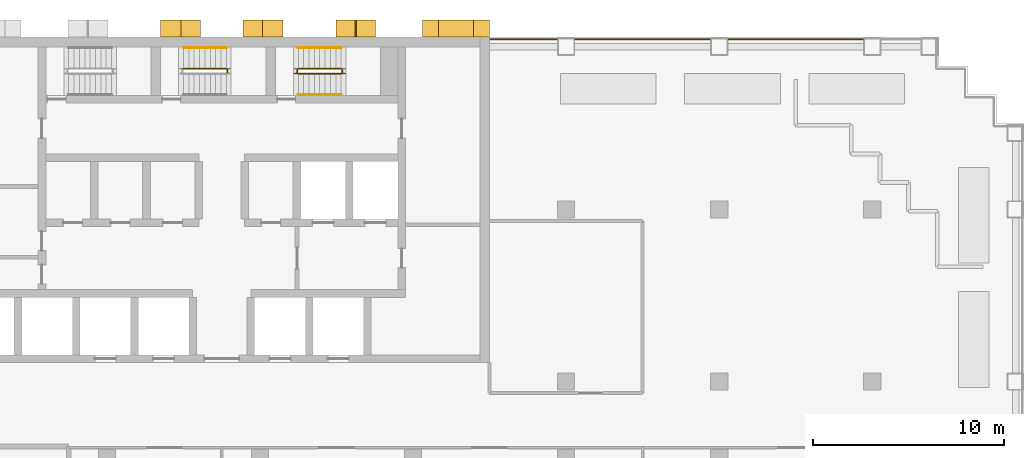
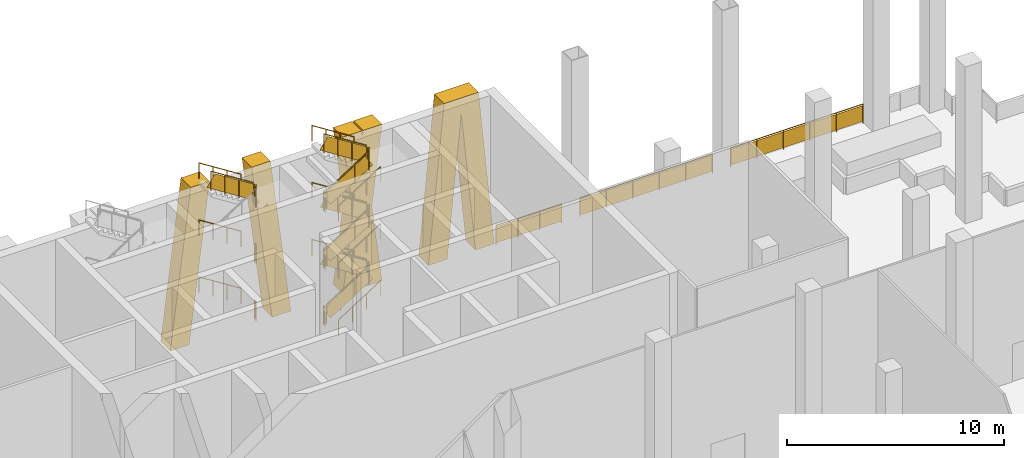
# One storey, part 8 of 9: 28 railings, 4 shading devices.
"""IFC4 building model written with IfcOpenShell, lengths in metres."""

import ifcopenshell
import ifcopenshell.guid

model = None  # the IFC model being written
_history = None  # IfcOwnerHistory: only IFC2X3 demands one
_inside = {}  # id of a spatial element -> (the spatial element, [elements in it])
_under = {}  # id of a project, library or spatial element -> (it, [spatial elements below it])
_declared = {}  # id of a project -> (the project, [libraries it declares])
_typed = {}  # id of a type object -> (the type object, [elements of that type])
_made_of = {}  # id of a material, layer set ... -> (it, [elements and type objects made of it])


def new_model(schema):
    """Start an empty IFC model of exactly this schema.

    Asked for "IFC4X3", IfcOpenShell would pick the latest addendum, in which some entities
    have other attributes; the version numbers below select the first issue.
    IFC2X3 requires an IfcOwnerHistory on every rooted entity: one is made here for all.
    """
    global model, _history
    if schema == "IFC4X3":
        model = ifcopenshell.file(schema_version=(4, 3, 0, 0))
    else:
        model = ifcopenshell.file(schema=schema)
    _inside.clear()
    _under.clear()
    _declared.clear()
    _typed.clear()
    _made_of.clear()
    _history = None
    if model.schema == "IFC2X3":
        org = make("IfcOrganization", Name="unknown")
        user = make(
            "IfcPersonAndOrganization",
            ThePerson=make("IfcPerson", FamilyName="unknown"),
            TheOrganization=org,
        )
        app = make(
            "IfcApplication",
            ApplicationDeveloper=org,
            Version="unknown",
            ApplicationFullName="unknown",
            ApplicationIdentifier="unknown",
        )
        _history = make(
            "IfcOwnerHistory",
            OwningUser=user,
            OwningApplication=app,
            ChangeAction="ADDED",
            CreationDate=0,
        )
    return model


def make(cls, **values):
    """One entity of the class cls with the attributes given. An attribute that is None is left unset."""
    return model.create_entity(
        cls, **{name: value for name, value in values.items() if value is not None}
    )


def rooted(cls, **values):
    """An entity with a GlobalId (a new one), such as an element, a storey or a relation."""
    return make(cls, GlobalId=ifcopenshell.guid.new(), OwnerHistory=_history, **values)


def si_unit(unit_type, name, prefix=None):
    """IfcSIUnit, for example si_unit("LENGTHUNIT", "METRE", prefix="MILLI")."""
    return make("IfcSIUnit", UnitType=unit_type, Prefix=prefix, Name=name)


def assignment(units):
    """IfcUnitAssignment: the units of a project."""
    return None if units is None else make("IfcUnitAssignment", Units=units)


def point(xyz):
    """IfcCartesianPoint."""
    return None if xyz is None else make("IfcCartesianPoint", Coordinates=xyz)


def direction(xyz):
    """IfcDirection."""
    return None if xyz is None else make("IfcDirection", DirectionRatios=xyz)


def frame(location, z_axis=None, x_axis=None):
    """IfcAxis2Placement3D, a coordinate frame: its origin and axes. An axis left out is left unset."""
    return make(
        "IfcAxis2Placement3D",
        Location=point(location),
        Axis=direction(z_axis),
        RefDirection=direction(x_axis),
    )


def frame_2d(location, x_axis=None):
    """IfcAxis2Placement2D, a coordinate frame in the plane: its origin and x axis."""
    return make(
        "IfcAxis2Placement2D", Location=point(location), RefDirection=direction(x_axis)
    )


def origin():
    """The frame at (0, 0, 0) with its axes left unset."""
    return frame((0.0, 0.0, 0.0))


def origin_2d():
    """The frame at (0, 0) in the plane with its x axis left unset."""
    return frame_2d((0.0, 0.0))


def place(relative_to, where):
    """IfcLocalPlacement: puts the frame where relative to a parent placement (None: the world)."""
    return make(
        "IfcLocalPlacement", PlacementRelTo=relative_to, RelativePlacement=where
    )


def context(
    kind, dimensions, precision=None, world=None, true_north=None, identifier=None
):
    """IfcGeometricRepresentationContext, for example the 3D "Model" context."""
    return make(
        "IfcGeometricRepresentationContext",
        ContextIdentifier=identifier,
        ContextType=kind,
        CoordinateSpaceDimension=dimensions,
        Precision=precision,
        WorldCoordinateSystem=world,
        TrueNorth=true_north,
    )


def subcontext(parent, identifier, kind, view, scale=None):
    """IfcGeometricRepresentationSubContext, for example "Body" below "Model"."""
    return make(
        "IfcGeometricRepresentationSubContext",
        ContextIdentifier=identifier,
        ContextType=kind,
        ParentContext=parent,
        TargetScale=scale,
        TargetView=view,
    )


def project(units=None, contexts=None):
    """IfcProject with its units and contexts."""
    return rooted(
        "IfcProject",
        Name="project",
        RepresentationContexts=contexts,
        UnitsInContext=assignment(units),
    )


def spatial(cls, under=None, at=None, **own):
    """A site, building, storey or space (cls), placed at a placement, below another one or the project."""
    s = rooted(cls, ObjectPlacement=at, **own)
    if under is not None:
        _under.setdefault(under.id(), (under, []))[1].append(s)
    return s


def polyline(points):
    """IfcPolyline through the points."""
    return make("IfcPolyline", Points=[point(p) for p in points])


def profile(cls, at=None, kind="AREA", **sizes):
    """A parametric profile (cls). Its sizes go by their IFC names, for example OverallWidth=200.0."""
    return make(cls, ProfileType=kind, Position=at, **sizes)


def rectangle(**sizes):
    """IfcRectangleProfileDef."""
    return profile("IfcRectangleProfileDef", **sizes)


def circle(**sizes):
    """IfcCircleProfileDef."""
    return profile("IfcCircleProfileDef", **sizes)


def outline(outer, holes=None, kind="AREA"):
    """IfcArbitraryClosedProfileDef: a profile drawn as a closed curve; with holes, ...WithVoids."""
    if holes is None:
        return make("IfcArbitraryClosedProfileDef", ProfileType=kind, OuterCurve=outer)
    return make(
        "IfcArbitraryProfileDefWithVoids",
        ProfileType=kind,
        OuterCurve=outer,
        InnerCurves=holes,
    )


def extrude(swept, where, along, depth):
    """IfcExtrudedAreaSolid: the profile swept, set in the frame where, extruded along a direction by depth."""
    return make(
        "IfcExtrudedAreaSolid",
        SweptArea=swept,
        Position=where,
        ExtrudedDirection=direction(along),
        Depth=depth,
    )


def shape(context_of_items, identifier, shape_type, items):
    """IfcShapeRepresentation: the items that make up one representation, for example the "Body"."""
    return make(
        "IfcShapeRepresentation",
        ContextOfItems=context_of_items,
        RepresentationIdentifier=identifier,
        RepresentationType=shape_type,
        Items=items,
    )


def material(Name=None, Category=None):
    """IfcMaterial."""
    return make("IfcMaterial", Name=Name, Category=Category)


def layer(
    of_material, thickness, ventilated=None, Name=None, Category=None, Priority=None
):
    """IfcMaterialLayer: one layer of a wall or slab, of a material (None: an air gap)."""
    return make(
        "IfcMaterialLayer",
        Material=of_material,
        LayerThickness=thickness,
        IsVentilated=ventilated,
        Name=Name,
        Category=Category,
        Priority=Priority,
    )


def layer_set(layers, Name=None):
    """IfcMaterialLayerSet."""
    return make("IfcMaterialLayerSet", MaterialLayers=layers, LayerSetName=Name)


def made_of(thing, what):
    """Note that an element or type object is made of a material, layer set ...; save() writes the relation."""
    if what is not None:
        _made_of.setdefault(what.id(), (what, []))[1].append(thing)
    return thing


def type_object(cls, material=None, **own):
    """A type object (cls), such as IfcWallType, which elements share."""
    return made_of(rooted(cls, **own), material)


def element(
    cls,
    number,
    at=None,
    inside=None,
    cuts=None,
    type_object=None,
    material=None,
    context=None,
    identifier="Body",
    shape_type=None,
    held_by="IfcProductDefinitionShape",
    body=None,
    shapes=None,
    **own,
):
    """One element of the class cls, such as IfcWall. Its Tag is "e" and its number.

    at: its placement. inside: the storey or other place that contains it. cuts: it is an
    opening in that element (IfcRelVoidsElement). A single representation is given by context,
    identifier, shape_type and body (its items); several are given by shapes. held_by: the class
    of the entity that holds the representations. save() writes the other relations.
    """
    e = rooted(cls, Tag="e%d" % number, ObjectPlacement=at, **own)
    if body is not None:
        shapes = [shape(context, identifier, shape_type, body)]
    if shapes is not None:
        e.Representation = make(held_by, Representations=shapes)
    if inside is not None:
        _inside.setdefault(inside.id(), (inside, []))[1].append(e)
    if cuts is not None:
        rooted(
            "IfcRelVoidsElement", RelatingBuildingElement=cuts, RelatedOpeningElement=e
        )
    if type_object is not None:
        _typed.setdefault(type_object.id(), (type_object, []))[1].append(e)
    return made_of(e, material)


def aggregate(whole, parts):
    """IfcRelAggregates: a whole, such as a stair, and the parts it consists of."""
    return rooted("IfcRelAggregates", RelatingObject=whole, RelatedObjects=parts)


def save(model, path):
    """Write the relations noted so far, then the file.

    IfcRelAggregates (storeys below a building ...), IfcRelContainedInSpatialStructure (elements
    in a storey), IfcRelDefinesByType, IfcRelAssociatesMaterial and IfcRelDeclares: one each for
    every whole, place, type object, material and project.
    """
    for whole, parts in _under.values():
        aggregate(whole, parts)
    for where, things in _inside.values():
        rooted(
            "IfcRelContainedInSpatialStructure",
            RelatedElements=things,
            RelatingStructure=where,
        )
    for kind, things in _typed.values():
        rooted("IfcRelDefinesByType", RelatedObjects=things, RelatingType=kind)
    for what, things in _made_of.values():
        rooted("IfcRelAssociatesMaterial", RelatedObjects=things, RelatingMaterial=what)
    for by, libraries in _declared.values():
        rooted("IfcRelDeclares", RelatingContext=by, RelatedDefinitions=libraries)
    model.write(path)


model = new_model("IFC4")

# Units and contexts
model_context = context("Model", 3, precision=1e-05, world=origin(), true_north=direction((0.0, 1.0)))
body_context = subcontext(model_context, "Body", "Model", "MODEL_VIEW")
ifc_project = project(units=[si_unit("LENGTHUNIT", "METRE"), si_unit("AREAUNIT", "SQUARE_METRE"), si_unit("VOLUMEUNIT", "CUBIC_METRE"), si_unit("PLANEANGLEUNIT", "RADIAN"), si_unit("MASSUNIT", "GRAM", prefix="KILO")], contexts=[model_context])

# Site, building, storey
site_placement = place(None, origin())
site = spatial("IfcSite", under=ifc_project, at=site_placement, CompositionType="ELEMENT")
building_placement = place(site_placement, origin())
building = spatial("IfcBuilding", under=site, at=building_placement, Name="Vidyagriha Tower", CompositionType="ELEMENT")
storey_placement = place(building_placement, frame((0.0, 0.0, 106.300048828125)))
storey = spatial("IfcBuildingStorey", under=building, at=storey_placement, Name="L28", CompositionType="ELEMENT", Elevation=106.300048828125)

# Shading devices
ifc_material_1 = material(Name="Precast concrete C40/50 with brick facing", Category="concrete")
ifc_layer_1 = layer(ifc_material_1, 1.0)
ifc_layer_set_1 = layer_set([ifc_layer_1], Name="Precast concrete C40/50 with brick facing")
shading_device_type_1 = type_object("IfcShadingDeviceType", Name="Brick-faced rear rib arm leaning 8 degrees", PredefinedType="USERDEFINED", material=ifc_layer_set_1)
shading_device_1_placement = place(storey_placement, frame((3.199951171875, 20.449951171875, 0.0), z_axis=(0.0, 0.0, 1.0), x_axis=(-1.0, 0.0, 0.0)))
element("IfcShadingDevice", 1, at=shading_device_1_placement, inside=storey, type_object=shading_device_type_1, Name="Rear rib arm L28 R08.3a", ObjectType="BLADE FIN", PredefinedType="USERDEFINED", context=body_context, shape_type="SweptSolid", body=[
    extrude(outline(polyline([(0.0, 0.0), (1.0, 0.0), (2.080078125, 8.800048828125), (1.080078125, 8.800048828125), (0.0, 0.0)])), frame((0.0, 0.449951171875, 0.0), z_axis=(0.0, -1.0, 0.0), x_axis=(1.0, 0.0, 0.0)), (0.0, 0.0, 1.0), 0.89990234375),
])
shading_device_2_placement = place(storey_placement, frame((-1.1201171875, 20.449951171875, 0.0), z_axis=(0.0, 0.0, 1.0), x_axis=(-1.0, 0.0, 0.0)))
element("IfcShadingDevice", 2, at=shading_device_2_placement, inside=storey, type_object=shading_device_type_1, Name="Rear rib arm L28 R08.3b", ObjectType="BLADE FIN", PredefinedType="USERDEFINED", context=body_context, shape_type="SweptSolid", body=[
    extrude(outline(polyline([(1.080078125, 0.0), (2.080078125, 0.0), (1.0, 8.800048828125), (0.0, 8.800048828125), (1.080078125, 0.0)])), frame((0.0, 0.449951171875, 0.0), z_axis=(0.0, -1.0, 0.0), x_axis=(1.0, 0.0, 0.0)), (0.0, 0.0, 1.0), 0.89990234375),
])
ifc_material_2 = material(Name="Precast concrete C40/50 with brick facing", Category="concrete")
ifc_layer_2 = layer(ifc_material_2, 1.0)
ifc_layer_set_2 = layer_set([ifc_layer_2], Name="Precast concrete C40/50 with brick facing")
shading_device_type_2 = type_object("IfcShadingDeviceType", Name="Brick-faced rear rib forking 8 degrees", PredefinedType="USERDEFINED", material=ifc_layer_set_2)
shading_device_3_placement = place(storey_placement, frame((14.0, 20.449951171875, 0.0), z_axis=(0.0, 0.0, 1.0), x_axis=(-1.0, 0.0, 0.0)))
element("IfcShadingDevice", 3, at=shading_device_3_placement, inside=storey, type_object=shading_device_type_2, Name="Rear rib fork L28 R08.1a", ObjectType="BLADE FIN", PredefinedType="USERDEFINED", context=body_context, shape_type="SweptSolid", body=[
    extrude(outline(polyline([(1.0, 0.0), (1.75, 7.919921875), (2.5, 0.0), (3.5, 0.0), (2.666748046875, 8.800048828125), (0.833251953125, 8.800048828125), (0.0, 0.0), (1.0, 0.0)])), frame((0.0, 0.449951171875, 0.0), z_axis=(0.0, -1.0, 0.0), x_axis=(1.0, 0.0, 0.0)), (0.0, 0.0, 1.0), 0.89990234375),
])
shading_device_4_placement = place(storey_placement, frame((8.0400390625, 20.449951171875, 0.0), z_axis=(0.0, 0.0, 1.0), x_axis=(-1.0, 0.0, 0.0)))
element("IfcShadingDevice", 4, at=shading_device_4_placement, inside=storey, type_object=shading_device_type_2, Name="Rear rib fork L28 R08.2a", ObjectType="BLADE FIN", PredefinedType="USERDEFINED", context=body_context, shape_type="SweptSolid", body=[
    extrude(outline(polyline([(1.0, 0.0), (1.0400390625, 0.325927734375), (1.080078125, 0.0), (2.080078125, 0.0), (1.5400390625, 4.39990234375), (2.080078125, 8.800048828125), (1.080078125, 8.800048828125), (1.0400390625, 8.47412109375), (1.0, 8.800048828125), (0.0, 8.800048828125), (0.5400390625, 4.39990234375), (0.0, 0.0), (1.0, 0.0)])), frame((0.0, 0.449951171875, 0.0), z_axis=(0.0, -1.0, 0.0), x_axis=(1.0, 0.0, 0.0)), (0.0, 0.0, 1.0), 0.89990234375),
])

# Railings
ifc_material_3 = material(Name="Steel ASTM A500 Grade C black painted", Category="steel")
railing_type_1 = type_object("IfcRailingType", Name="Gallery guard 1100", PredefinedType="GUARDRAIL", material=ifc_material_3)
railing_1_placement = place(storey_placement, frame((14.030029296875, 19.89990234375, 0.0)))
element("IfcRailing", 5, at=railing_1_placement, inside=storey, type_object=railing_type_1, Name="Gallery guard L28 3", PredefinedType="GUARDRAIL", context=body_context, shape_type="SweptSolid", body=[
    extrude(circle(Radius=0.02490234375, at=origin_2d()), frame((0.0, 0.0, 1.0751953125), z_axis=(1.0, 0.0, 0.0), x_axis=(0.0, 1.0, 0.0)), (0.0, 0.0, 1.0), 3.489990234375),
    extrude(circle(Radius=0.02001953125, at=origin_2d()), origin(), (0.0, 0.0, 1.0), 1.050048828125),
    extrude(circle(Radius=0.02001953125, at=origin_2d()), frame((1.163330078125, 0.0, 0.0)), (0.0, 0.0, 1.0), 1.050048828125),
    extrude(circle(Radius=0.02001953125, at=origin_2d()), frame((2.32666015625, 0.0, 0.0)), (0.0, 0.0, 1.0), 1.050048828125),
    extrude(circle(Radius=0.02001953125, at=origin_2d()), frame((3.489990234375, 0.0, 0.0)), (0.0, 0.0, 1.0), 1.050048828125),
    extrude(rectangle(XDim=0.010009765625, YDim=0.900146484375, at=origin_2d()), frame((0.0, 0.0, 0.550048828125), z_axis=(1.0, 0.0, 0.0), x_axis=(0.0, 1.0, 0.0)), (0.0, 0.0, 1.0), 3.489990234375),
])
for number, where, name in (
    (6, (18.47998046875, 19.89990234375, 0.0), "Gallery guard L28 4"),
    (7, (26.47998046875, 19.89990234375, 0.0), "Gallery guard L28 5"),
):
    element("IfcRailing", number, at=place(storey_placement, frame(where)), inside=storey, type_object=railing_type_1, Name=name, PredefinedType="GUARDRAIL", context=body_context, shape_type="SweptSolid", body=[
        extrude(circle(Radius=0.02490234375, at=origin_2d()), frame((0.0, 0.0, 1.0751953125), z_axis=(1.0, 0.0, 0.0), x_axis=(0.0, 1.0, 0.0)), (0.0, 0.0, 1.0), 7.0400390625),
        extrude(circle(Radius=0.02001953125, at=origin_2d()), origin(), (0.0, 0.0, 1.0), 1.050048828125),
        extrude(circle(Radius=0.02001953125, at=origin_2d()), frame((1.407958984375, 0.0, 0.0)), (0.0, 0.0, 1.0), 1.050048828125),
        extrude(circle(Radius=0.02001953125, at=origin_2d()), frame((2.81591796875, 0.0, 0.0)), (0.0, 0.0, 1.0), 1.050048828125),
        extrude(circle(Radius=0.02001953125, at=origin_2d()), frame((4.22412109375, 0.0, 0.0)), (0.0, 0.0, 1.0), 1.050048828125),
        extrude(circle(Radius=0.02001953125, at=origin_2d()), frame((5.632080078125, 0.0, 0.0)), (0.0, 0.0, 1.0), 1.050048828125),
        extrude(circle(Radius=0.02001953125, at=origin_2d()), frame((7.0400390625, 0.0, 0.0)), (0.0, 0.0, 1.0), 1.050048828125),
        extrude(rectangle(XDim=0.010009765625, YDim=0.900146484375, at=origin_2d()), frame((0.0, 0.0, 0.550048828125), z_axis=(1.0, 0.0, 0.0), x_axis=(0.0, 1.0, 0.0)), (0.0, 0.0, 1.0), 7.0400390625),
    ])
ifc_material_4 = material(Name="Steel ASTM A500 Grade C", Category="steel")
railing_type_2 = type_object("IfcRailingType", Name="Stair guard 1100 mm, steel balustrade", PredefinedType="GUARDRAIL", material=ifc_material_4)
for number, where, name in (
    (8, (0.2900390625, 18.14990234375, 1.599853515625), "L28 ST2 stair guard 2"),
    (9, (0.2900390625, 18.14990234375, 4.800048828125), "L28 ST2 stair guard 6"),
    (10, (0.2900390625, 18.14990234375, 8.0), "L28 ST2 stair guard 10"),
):
    element("IfcRailing", number, at=place(storey_placement, frame(where)), inside=storey, type_object=railing_type_2, Name=name, PredefinedType="GUARDRAIL", context=body_context, shape_type="SweptSolid", body=[
        extrude(circle(Radius=0.02392578125, at=origin_2d()), frame((0.0, 0.0, 1.076171875), z_axis=(0.0, 1.0, 0.0), x_axis=(-1.0, 0.0, 0.0)), (0.0, 0.0, 1.0), 0.150146484375),
        extrude(circle(Radius=0.02099609375, at=origin_2d()), origin(), (0.0, 0.0, 1.0), 1.052001953125),
        extrude(circle(Radius=0.02099609375, at=origin_2d()), frame((0.0, 0.150146484375, 0.0)), (0.0, 0.0, 1.0), 1.052001953125),
        extrude(rectangle(XDim=0.010009765625, YDim=0.902099609375, at=origin_2d()), frame((0.0, 0.0, 0.551025390625), z_axis=(0.0, 1.0, 0.0), x_axis=(-1.0, 0.0, 0.0)), (0.0, 0.0, 1.0), 0.150146484375),
    ])
railing_2_placement = place(storey_placement, frame((0.239990234375, 18.35009765625, 8.177734375)))
element("IfcRailing", 11, at=railing_2_placement, inside=storey, type_object=railing_type_2, Name="L28 ST2 stair guard 11", PredefinedType="GUARDRAIL", context=body_context, shape_type="SweptSolid", body=[
    extrude(circle(Radius=0.02392578125, at=origin_2d()), frame((0.0, 0.0, 1.076171875), z_axis=(-0.8442293374, 0.0, 0.53598211339), x_axis=(0.0, -1.0, 0.0)), (0.0, 0.0, 1.0), 2.6533203125),
    extrude(circle(Radius=0.02099609375, at=origin_2d()), origin(), (0.0, 0.0, 1.0), 1.052001953125),
    extrude(circle(Radius=0.02099609375, at=origin_2d()), frame((-0.74658203125, 0.0, 0.47412109375)), (0.0, 0.0, 1.0), 1.052001953125),
    extrude(circle(Radius=0.02099609375, at=origin_2d()), frame((-1.493408203125, 0.0, 0.947998046875)), (0.0, 0.0, 1.0), 1.052001953125),
    extrude(circle(Radius=0.02099609375, at=origin_2d()), frame((-2.239990234375, 0.0, 1.422119140625)), (0.0, 0.0, 1.0), 1.052001953125),
    extrude(rectangle(XDim=0.010009765625, YDim=0.761474609375, at=origin_2d()), frame((0.0, 0.0, 0.551025390625), z_axis=(-0.8442293374, 0.0, 0.53598211339), x_axis=(0.0, -1.0, 0.0)), (0.0, 0.0, 1.0), 2.6533203125),
])
railing_3_placement = place(storey_placement, frame((4.0, 18.10009765625, 0.177734375)))
element("IfcRailing", 12, at=railing_3_placement, inside=storey, type_object=railing_type_2, Name="L28 ST3 stair guard 1", PredefinedType="GUARDRAIL", context=body_context, shape_type="SweptSolid", body=[
    extrude(circle(Radius=0.02392578125, at=origin_2d()), frame((0.0, 0.0, 1.076171875), z_axis=(0.8442293374, 0.0, 0.53598211339), x_axis=(0.0, 1.0, 0.0)), (0.0, 0.0, 1.0), 2.6533203125),
    extrude(circle(Radius=0.02099609375, at=origin_2d()), origin(), (0.0, 0.0, 1.0), 1.052001953125),
    extrude(circle(Radius=0.02099609375, at=origin_2d()), frame((0.74658203125, 0.0, 0.47412109375)), (0.0, 0.0, 1.0), 1.052001953125),
    extrude(circle(Radius=0.02099609375, at=origin_2d()), frame((1.493408203125, 0.0, 0.947998046875)), (0.0, 0.0, 1.0), 1.052001953125),
    extrude(circle(Radius=0.02099609375, at=origin_2d()), frame((2.239990234375, 0.0, 1.422119140625)), (0.0, 0.0, 1.0), 1.052001953125),
    extrude(rectangle(XDim=0.010009765625, YDim=0.761474609375, at=origin_2d()), frame((0.0, 0.0, 0.551025390625), z_axis=(0.8442293374, 0.0, 0.53598211339), x_axis=(0.0, 1.0, 0.0)), (0.0, 0.0, 1.0), 2.6533203125),
])
railing_4_placement = place(storey_placement, frame((6.2900390625, 18.14990234375, 1.599853515625)))
element("IfcRailing", 13, at=railing_4_placement, inside=storey, type_object=railing_type_2, Name="L28 ST3 stair guard 2", PredefinedType="GUARDRAIL", context=body_context, shape_type="SweptSolid", body=[
    extrude(circle(Radius=0.02392578125, at=origin_2d()), frame((0.0, 0.0, 1.076171875), z_axis=(0.0, 1.0, 0.0), x_axis=(-1.0, 0.0, 0.0)), (0.0, 0.0, 1.0), 0.150146484375),
    extrude(circle(Radius=0.02099609375, at=origin_2d()), origin(), (0.0, 0.0, 1.0), 1.052001953125),
    extrude(circle(Radius=0.02099609375, at=origin_2d()), frame((0.0, 0.150146484375, 0.0)), (0.0, 0.0, 1.0), 1.052001953125),
    extrude(rectangle(XDim=0.010009765625, YDim=0.902099609375, at=origin_2d()), frame((0.0, 0.0, 0.551025390625), z_axis=(0.0, 1.0, 0.0), x_axis=(-1.0, 0.0, 0.0)), (0.0, 0.0, 1.0), 0.150146484375),
])
railing_5_placement = place(storey_placement, frame((6.239990234375, 18.35009765625, 1.77783203125)))
element("IfcRailing", 14, at=railing_5_placement, inside=storey, type_object=railing_type_2, Name="L28 ST3 stair guard 3", PredefinedType="GUARDRAIL", context=body_context, shape_type="SweptSolid", body=[
    extrude(circle(Radius=0.02392578125, at=origin_2d()), frame((0.0, 0.0, 1.076171875), z_axis=(-0.8442293374, 0.0, 0.53598211339), x_axis=(0.0, -1.0, 0.0)), (0.0, 0.0, 1.0), 2.6533203125),
    extrude(circle(Radius=0.02099609375, at=origin_2d()), origin(), (0.0, 0.0, 1.0), 1.052001953125),
    extrude(circle(Radius=0.02099609375, at=origin_2d()), frame((-0.74658203125, 0.0, 0.47412109375)), (0.0, 0.0, 1.0), 1.052001953125),
    extrude(circle(Radius=0.02099609375, at=origin_2d()), frame((-1.493408203125, 0.0, 0.947998046875)), (0.0, 0.0, 1.0), 1.052001953125),
    extrude(circle(Radius=0.02099609375, at=origin_2d()), frame((-2.239990234375, 0.0, 1.422119140625)), (0.0, 0.0, 1.0), 1.052001953125),
    extrude(rectangle(XDim=0.010009765625, YDim=0.761474609375, at=origin_2d()), frame((0.0, 0.0, 0.551025390625), z_axis=(-0.8442293374, 0.0, 0.53598211339), x_axis=(0.0, -1.0, 0.0)), (0.0, 0.0, 1.0), 2.6533203125),
])
railing_6_placement = place(storey_placement, frame((3.949951171875, 18.14990234375, 3.199951171875)))
element("IfcRailing", 15, at=railing_6_placement, inside=storey, type_object=railing_type_2, Name="L28 ST3 stair guard 4", PredefinedType="GUARDRAIL", context=body_context, shape_type="SweptSolid", body=[
    extrude(circle(Radius=0.02392578125, at=origin_2d()), frame((0.0, 0.0, 1.076171875), z_axis=(0.0, 1.0, 0.0), x_axis=(-1.0, 0.0, 0.0)), (0.0, 0.0, 1.0), 0.150146484375),
    extrude(circle(Radius=0.02099609375, at=origin_2d()), origin(), (0.0, 0.0, 1.0), 1.052001953125),
    extrude(circle(Radius=0.02099609375, at=origin_2d()), frame((0.0, 0.150146484375, 0.0)), (0.0, 0.0, 1.0), 1.052001953125),
    extrude(rectangle(XDim=0.010009765625, YDim=0.902099609375, at=origin_2d()), frame((0.0, 0.0, 0.551025390625), z_axis=(0.0, 1.0, 0.0), x_axis=(-1.0, 0.0, 0.0)), (0.0, 0.0, 1.0), 0.150146484375),
])
railing_7_placement = place(storey_placement, frame((4.0, 18.10009765625, 3.377685546875)))
element("IfcRailing", 16, at=railing_7_placement, inside=storey, type_object=railing_type_2, Name="L28 ST3 stair guard 5", PredefinedType="GUARDRAIL", context=body_context, shape_type="SweptSolid", body=[
    extrude(circle(Radius=0.02392578125, at=origin_2d()), frame((0.0, 0.0, 1.076171875), z_axis=(0.84418770128, 0.0, 0.536047689118), x_axis=(0.0, 1.0, 0.0)), (0.0, 0.0, 1.0), 2.6533203125),
    extrude(circle(Radius=0.02099609375, at=origin_2d()), origin(), (0.0, 0.0, 1.0), 1.052001953125),
    extrude(circle(Radius=0.02099609375, at=origin_2d()), frame((0.74658203125, 0.0, 0.47412109375)), (0.0, 0.0, 1.0), 1.052001953125),
    extrude(circle(Radius=0.02099609375, at=origin_2d()), frame((1.493408203125, 0.0, 0.9482421875)), (0.0, 0.0, 1.0), 1.052001953125),
    extrude(circle(Radius=0.02099609375, at=origin_2d()), frame((2.239990234375, 0.0, 1.42236328125)), (0.0, 0.0, 1.0), 1.052001953125),
    extrude(rectangle(XDim=0.010009765625, YDim=0.761474609375, at=origin_2d()), frame((0.0, 0.0, 0.551025390625), z_axis=(0.84418770128, 0.0, 0.536047689118), x_axis=(0.0, 1.0, 0.0)), (0.0, 0.0, 1.0), 2.6533203125),
])
railing_8_placement = place(storey_placement, frame((6.2900390625, 18.14990234375, 4.800048828125)))
element("IfcRailing", 17, at=railing_8_placement, inside=storey, type_object=railing_type_2, Name="L28 ST3 stair guard 6", PredefinedType="GUARDRAIL", context=body_context, shape_type="SweptSolid", body=[
    extrude(circle(Radius=0.02392578125, at=origin_2d()), frame((0.0, 0.0, 1.076171875), z_axis=(0.0, 1.0, 0.0), x_axis=(-1.0, 0.0, 0.0)), (0.0, 0.0, 1.0), 0.150146484375),
    extrude(circle(Radius=0.02099609375, at=origin_2d()), origin(), (0.0, 0.0, 1.0), 1.052001953125),
    extrude(circle(Radius=0.02099609375, at=origin_2d()), frame((0.0, 0.150146484375, 0.0)), (0.0, 0.0, 1.0), 1.052001953125),
    extrude(rectangle(XDim=0.010009765625, YDim=0.902099609375, at=origin_2d()), frame((0.0, 0.0, 0.551025390625), z_axis=(0.0, 1.0, 0.0), x_axis=(-1.0, 0.0, 0.0)), (0.0, 0.0, 1.0), 0.150146484375),
])
railing_9_placement = place(storey_placement, frame((6.239990234375, 18.35009765625, 4.977783203125)))
element("IfcRailing", 18, at=railing_9_placement, inside=storey, type_object=railing_type_2, Name="L28 ST3 stair guard 7", PredefinedType="GUARDRAIL", context=body_context, shape_type="SweptSolid", body=[
    extrude(circle(Radius=0.02392578125, at=origin_2d()), frame((0.0, 0.0, 1.076171875), z_axis=(-0.8442293374, 0.0, 0.53598211339), x_axis=(0.0, -1.0, 0.0)), (0.0, 0.0, 1.0), 2.6533203125),
    extrude(circle(Radius=0.02099609375, at=origin_2d()), origin(), (0.0, 0.0, 1.0), 1.052001953125),
    extrude(circle(Radius=0.02099609375, at=origin_2d()), frame((-0.74658203125, 0.0, 0.47412109375)), (0.0, 0.0, 1.0), 1.052001953125),
    extrude(circle(Radius=0.02099609375, at=origin_2d()), frame((-1.493408203125, 0.0, 0.947998046875)), (0.0, 0.0, 1.0), 1.052001953125),
    extrude(circle(Radius=0.02099609375, at=origin_2d()), frame((-2.239990234375, 0.0, 1.422119140625)), (0.0, 0.0, 1.0), 1.052001953125),
    extrude(rectangle(XDim=0.010009765625, YDim=0.761474609375, at=origin_2d()), frame((0.0, 0.0, 0.551025390625), z_axis=(-0.8442293374, 0.0, 0.53598211339), x_axis=(0.0, -1.0, 0.0)), (0.0, 0.0, 1.0), 2.6533203125),
])
railing_10_placement = place(storey_placement, frame((3.949951171875, 18.14990234375, 6.39990234375)))
element("IfcRailing", 19, at=railing_10_placement, inside=storey, type_object=railing_type_2, Name="L28 ST3 stair guard 8", PredefinedType="GUARDRAIL", context=body_context, shape_type="SweptSolid", body=[
    extrude(circle(Radius=0.02392578125, at=origin_2d()), frame((0.0, 0.0, 1.076171875), z_axis=(0.0, 1.0, 0.0), x_axis=(-1.0, 0.0, 0.0)), (0.0, 0.0, 1.0), 0.150146484375),
    extrude(circle(Radius=0.02099609375, at=origin_2d()), origin(), (0.0, 0.0, 1.0), 1.052001953125),
    extrude(circle(Radius=0.02099609375, at=origin_2d()), frame((0.0, 0.150146484375, 0.0)), (0.0, 0.0, 1.0), 1.052001953125),
    extrude(rectangle(XDim=0.010009765625, YDim=0.902099609375, at=origin_2d()), frame((0.0, 0.0, 0.551025390625), z_axis=(0.0, 1.0, 0.0), x_axis=(-1.0, 0.0, 0.0)), (0.0, 0.0, 1.0), 0.150146484375),
])
railing_11_placement = place(storey_placement, frame((4.0, 18.10009765625, 6.57763671875)))
element("IfcRailing", 20, at=railing_11_placement, inside=storey, type_object=railing_type_2, Name="L28 ST3 stair guard 9", PredefinedType="GUARDRAIL", context=body_context, shape_type="SweptSolid", body=[
    extrude(circle(Radius=0.02392578125, at=origin_2d()), frame((0.0, 0.0, 1.076171875), z_axis=(0.84418770128, 0.0, 0.536047689118), x_axis=(0.0, 1.0, 0.0)), (0.0, 0.0, 1.0), 2.6533203125),
    extrude(circle(Radius=0.02099609375, at=origin_2d()), origin(), (0.0, 0.0, 1.0), 1.052001953125),
    extrude(circle(Radius=0.02099609375, at=origin_2d()), frame((0.74658203125, 0.0, 0.47412109375)), (0.0, 0.0, 1.0), 1.052001953125),
    extrude(circle(Radius=0.02099609375, at=origin_2d()), frame((1.493408203125, 0.0, 0.9482421875)), (0.0, 0.0, 1.0), 1.052001953125),
    extrude(circle(Radius=0.02099609375, at=origin_2d()), frame((2.239990234375, 0.0, 1.42236328125)), (0.0, 0.0, 1.0), 1.052001953125),
    extrude(rectangle(XDim=0.010009765625, YDim=0.761474609375, at=origin_2d()), frame((0.0, 0.0, 0.551025390625), z_axis=(0.84418770128, 0.0, 0.536047689118), x_axis=(0.0, 1.0, 0.0)), (0.0, 0.0, 1.0), 2.6533203125),
])
railing_12_placement = place(storey_placement, frame((6.2900390625, 18.14990234375, 8.0)))
element("IfcRailing", 21, at=railing_12_placement, inside=storey, type_object=railing_type_2, Name="L28 ST3 stair guard 10", PredefinedType="GUARDRAIL", context=body_context, shape_type="SweptSolid", body=[
    extrude(circle(Radius=0.02392578125, at=origin_2d()), frame((0.0, 0.0, 1.076171875), z_axis=(0.0, 1.0, 0.0), x_axis=(-1.0, 0.0, 0.0)), (0.0, 0.0, 1.0), 0.150146484375),
    extrude(circle(Radius=0.02099609375, at=origin_2d()), origin(), (0.0, 0.0, 1.0), 1.052001953125),
    extrude(circle(Radius=0.02099609375, at=origin_2d()), frame((0.0, 0.150146484375, 0.0)), (0.0, 0.0, 1.0), 1.052001953125),
    extrude(rectangle(XDim=0.010009765625, YDim=0.902099609375, at=origin_2d()), frame((0.0, 0.0, 0.551025390625), z_axis=(0.0, 1.0, 0.0), x_axis=(-1.0, 0.0, 0.0)), (0.0, 0.0, 1.0), 0.150146484375),
])
railing_13_placement = place(storey_placement, frame((6.239990234375, 18.35009765625, 8.177734375)))
element("IfcRailing", 22, at=railing_13_placement, inside=storey, type_object=railing_type_2, Name="L28 ST3 stair guard 11", PredefinedType="GUARDRAIL", context=body_context, shape_type="SweptSolid", body=[
    extrude(circle(Radius=0.02392578125, at=origin_2d()), frame((0.0, 0.0, 1.076171875), z_axis=(-0.8442293374, 0.0, 0.53598211339), x_axis=(0.0, -1.0, 0.0)), (0.0, 0.0, 1.0), 2.6533203125),
    extrude(circle(Radius=0.02099609375, at=origin_2d()), origin(), (0.0, 0.0, 1.0), 1.052001953125),
    extrude(circle(Radius=0.02099609375, at=origin_2d()), frame((-0.74658203125, 0.0, 0.47412109375)), (0.0, 0.0, 1.0), 1.052001953125),
    extrude(circle(Radius=0.02099609375, at=origin_2d()), frame((-1.493408203125, 0.0, 0.947998046875)), (0.0, 0.0, 1.0), 1.052001953125),
    extrude(circle(Radius=0.02099609375, at=origin_2d()), frame((-2.239990234375, 0.0, 1.422119140625)), (0.0, 0.0, 1.0), 1.052001953125),
    extrude(rectangle(XDim=0.010009765625, YDim=0.761474609375, at=origin_2d()), frame((0.0, 0.0, 0.551025390625), z_axis=(-0.8442293374, 0.0, 0.53598211339), x_axis=(0.0, -1.0, 0.0)), (0.0, 0.0, 1.0), 2.6533203125),
])
railing_14_placement = place(storey_placement, frame((3.949951171875, 18.14990234375, 0.0)))
element("IfcRailing", 23, at=railing_14_placement, inside=storey, type_object=railing_type_2, Name="L28 ST3 stair guard 12", PredefinedType="GUARDRAIL", context=body_context, shape_type="SweptSolid", body=[
    extrude(circle(Radius=0.02392578125, at=origin_2d()), frame((0.0, 0.0, 1.076171875), z_axis=(0.0, 1.0, 0.0), x_axis=(-1.0, 0.0, 0.0)), (0.0, 0.0, 1.0), 0.150146484375),
    extrude(circle(Radius=0.02099609375, at=origin_2d()), origin(), (0.0, 0.0, 1.0), 1.052001953125),
    extrude(circle(Radius=0.02099609375, at=origin_2d()), frame((0.0, 0.150146484375, 0.0)), (0.0, 0.0, 1.0), 1.052001953125),
    extrude(rectangle(XDim=0.010009765625, YDim=0.902099609375, at=origin_2d()), frame((0.0, 0.0, 0.551025390625), z_axis=(0.0, 1.0, 0.0), x_axis=(-1.0, 0.0, 0.0)), (0.0, 0.0, 1.0), 0.150146484375),
])
ifc_material_5 = material(Name="Steel ASTM A500 Grade C", Category="steel")
railing_type_3 = type_object("IfcRailingType", Name="Stair handrail 900 mm, steel", PredefinedType="HANDRAIL", material=ifc_material_5)
for number, where, name in (
    (24, (0.239990234375, 19.449951171875, 1.77783203125), "L28 ST2 stair handrail 2"),
    (25, (0.239990234375, 19.449951171875, 4.977783203125), "L28 ST2 stair handrail 4"),
    (26, (0.239990234375, 19.449951171875, 8.177734375), "L28 ST2 stair handrail 6"),
):
    element("IfcRailing", number, at=place(storey_placement, frame(where)), inside=storey, type_object=railing_type_3, Name=name, PredefinedType="HANDRAIL", context=body_context, shape_type="SweptSolid", body=[
        extrude(circle(Radius=0.02392578125, at=origin_2d()), frame((0.0, 0.0, 0.8759765625), z_axis=(-0.8442293374, 0.0, 0.53598211339), x_axis=(0.0, -1.0, 0.0)), (0.0, 0.0, 1.0), 2.6533203125),
        extrude(circle(Radius=0.02099609375, at=origin_2d()), origin(), (0.0, 0.0, 1.0), 0.851806640625),
        extrude(circle(Radius=0.02099609375, at=origin_2d()), frame((-0.74658203125, 0.0, 0.47412109375)), (0.0, 0.0, 1.0), 0.851806640625),
        extrude(circle(Radius=0.02099609375, at=origin_2d()), frame((-1.493408203125, 0.0, 0.947998046875)), (0.0, 0.0, 1.0), 0.851806640625),
        extrude(circle(Radius=0.02099609375, at=origin_2d()), frame((-2.239990234375, 0.0, 1.422119140625)), (0.0, 0.0, 1.0), 0.851806640625),
    ])
railing_15_placement = place(storey_placement, frame((4.0, 17.0, 0.177734375)))
element("IfcRailing", 27, at=railing_15_placement, inside=storey, type_object=railing_type_3, Name="L28 ST3 stair handrail 1", PredefinedType="HANDRAIL", context=body_context, shape_type="SweptSolid", body=[
    extrude(circle(Radius=0.02392578125, at=origin_2d()), frame((0.0, 0.0, 0.8759765625), z_axis=(0.8442293374, 0.0, 0.53598211339), x_axis=(0.0, 1.0, 0.0)), (0.0, 0.0, 1.0), 2.6533203125),
    extrude(circle(Radius=0.02099609375, at=origin_2d()), origin(), (0.0, 0.0, 1.0), 0.851806640625),
    extrude(circle(Radius=0.02099609375, at=origin_2d()), frame((0.74658203125, 0.0, 0.47412109375)), (0.0, 0.0, 1.0), 0.851806640625),
    extrude(circle(Radius=0.02099609375, at=origin_2d()), frame((1.493408203125, 0.0, 0.947998046875)), (0.0, 0.0, 1.0), 0.851806640625),
    extrude(circle(Radius=0.02099609375, at=origin_2d()), frame((2.239990234375, 0.0, 1.422119140625)), (0.0, 0.0, 1.0), 0.851806640625),
])
railing_16_placement = place(storey_placement, frame((6.239990234375, 19.449951171875, 1.77783203125)))
element("IfcRailing", 28, at=railing_16_placement, inside=storey, type_object=railing_type_3, Name="L28 ST3 stair handrail 2", PredefinedType="HANDRAIL", context=body_context, shape_type="SweptSolid", body=[
    extrude(circle(Radius=0.02392578125, at=origin_2d()), frame((0.0, 0.0, 0.8759765625), z_axis=(-0.8442293374, 0.0, 0.53598211339), x_axis=(0.0, -1.0, 0.0)), (0.0, 0.0, 1.0), 2.6533203125),
    extrude(circle(Radius=0.02099609375, at=origin_2d()), origin(), (0.0, 0.0, 1.0), 0.851806640625),
    extrude(circle(Radius=0.02099609375, at=origin_2d()), frame((-0.74658203125, 0.0, 0.47412109375)), (0.0, 0.0, 1.0), 0.851806640625),
    extrude(circle(Radius=0.02099609375, at=origin_2d()), frame((-1.493408203125, 0.0, 0.947998046875)), (0.0, 0.0, 1.0), 0.851806640625),
    extrude(circle(Radius=0.02099609375, at=origin_2d()), frame((-2.239990234375, 0.0, 1.422119140625)), (0.0, 0.0, 1.0), 0.851806640625),
])
railing_17_placement = place(storey_placement, frame((4.0, 17.0, 3.377685546875)))
element("IfcRailing", 29, at=railing_17_placement, inside=storey, type_object=railing_type_3, Name="L28 ST3 stair handrail 3", PredefinedType="HANDRAIL", context=body_context, shape_type="SweptSolid", body=[
    extrude(circle(Radius=0.02392578125, at=origin_2d()), frame((0.0, 0.0, 0.8759765625), z_axis=(0.84418770128, 0.0, 0.536047689118), x_axis=(0.0, 1.0, 0.0)), (0.0, 0.0, 1.0), 2.6533203125),
    extrude(circle(Radius=0.02099609375, at=origin_2d()), origin(), (0.0, 0.0, 1.0), 0.851806640625),
    extrude(circle(Radius=0.02099609375, at=origin_2d()), frame((0.74658203125, 0.0, 0.47412109375)), (0.0, 0.0, 1.0), 0.851806640625),
    extrude(circle(Radius=0.02099609375, at=origin_2d()), frame((1.493408203125, 0.0, 0.9482421875)), (0.0, 0.0, 1.0), 0.851806640625),
    extrude(circle(Radius=0.02099609375, at=origin_2d()), frame((2.239990234375, 0.0, 1.42236328125)), (0.0, 0.0, 1.0), 0.851806640625),
])
railing_18_placement = place(storey_placement, frame((6.239990234375, 19.449951171875, 4.977783203125)))
element("IfcRailing", 30, at=railing_18_placement, inside=storey, type_object=railing_type_3, Name="L28 ST3 stair handrail 4", PredefinedType="HANDRAIL", context=body_context, shape_type="SweptSolid", body=[
    extrude(circle(Radius=0.02392578125, at=origin_2d()), frame((0.0, 0.0, 0.8759765625), z_axis=(-0.8442293374, 0.0, 0.53598211339), x_axis=(0.0, -1.0, 0.0)), (0.0, 0.0, 1.0), 2.6533203125),
    extrude(circle(Radius=0.02099609375, at=origin_2d()), origin(), (0.0, 0.0, 1.0), 0.851806640625),
    extrude(circle(Radius=0.02099609375, at=origin_2d()), frame((-0.74658203125, 0.0, 0.47412109375)), (0.0, 0.0, 1.0), 0.851806640625),
    extrude(circle(Radius=0.02099609375, at=origin_2d()), frame((-1.493408203125, 0.0, 0.947998046875)), (0.0, 0.0, 1.0), 0.851806640625),
    extrude(circle(Radius=0.02099609375, at=origin_2d()), frame((-2.239990234375, 0.0, 1.422119140625)), (0.0, 0.0, 1.0), 0.851806640625),
])
railing_19_placement = place(storey_placement, frame((4.0, 17.0, 6.57763671875)))
element("IfcRailing", 31, at=railing_19_placement, inside=storey, type_object=railing_type_3, Name="L28 ST3 stair handrail 5", PredefinedType="HANDRAIL", context=body_context, shape_type="SweptSolid", body=[
    extrude(circle(Radius=0.02392578125, at=origin_2d()), frame((0.0, 0.0, 0.8759765625), z_axis=(0.84418770128, 0.0, 0.536047689118), x_axis=(0.0, 1.0, 0.0)), (0.0, 0.0, 1.0), 2.6533203125),
    extrude(circle(Radius=0.02099609375, at=origin_2d()), origin(), (0.0, 0.0, 1.0), 0.851806640625),
    extrude(circle(Radius=0.02099609375, at=origin_2d()), frame((0.74658203125, 0.0, 0.47412109375)), (0.0, 0.0, 1.0), 0.851806640625),
    extrude(circle(Radius=0.02099609375, at=origin_2d()), frame((1.493408203125, 0.0, 0.9482421875)), (0.0, 0.0, 1.0), 0.851806640625),
    extrude(circle(Radius=0.02099609375, at=origin_2d()), frame((2.239990234375, 0.0, 1.42236328125)), (0.0, 0.0, 1.0), 0.851806640625),
])
railing_20_placement = place(storey_placement, frame((6.239990234375, 19.449951171875, 8.177734375)))
element("IfcRailing", 32, at=railing_20_placement, inside=storey, type_object=railing_type_3, Name="L28 ST3 stair handrail 6", PredefinedType="HANDRAIL", context=body_context, shape_type="SweptSolid", body=[
    extrude(circle(Radius=0.02392578125, at=origin_2d()), frame((0.0, 0.0, 0.8759765625), z_axis=(-0.8442293374, 0.0, 0.53598211339), x_axis=(0.0, -1.0, 0.0)), (0.0, 0.0, 1.0), 2.6533203125),
    extrude(circle(Radius=0.02099609375, at=origin_2d()), origin(), (0.0, 0.0, 1.0), 0.851806640625),
    extrude(circle(Radius=0.02099609375, at=origin_2d()), frame((-0.74658203125, 0.0, 0.47412109375)), (0.0, 0.0, 1.0), 0.851806640625),
    extrude(circle(Radius=0.02099609375, at=origin_2d()), frame((-1.493408203125, 0.0, 0.947998046875)), (0.0, 0.0, 1.0), 0.851806640625),
    extrude(circle(Radius=0.02099609375, at=origin_2d()), frame((-2.239990234375, 0.0, 1.422119140625)), (0.0, 0.0, 1.0), 0.851806640625),
])

save(model, "model.ifc")
